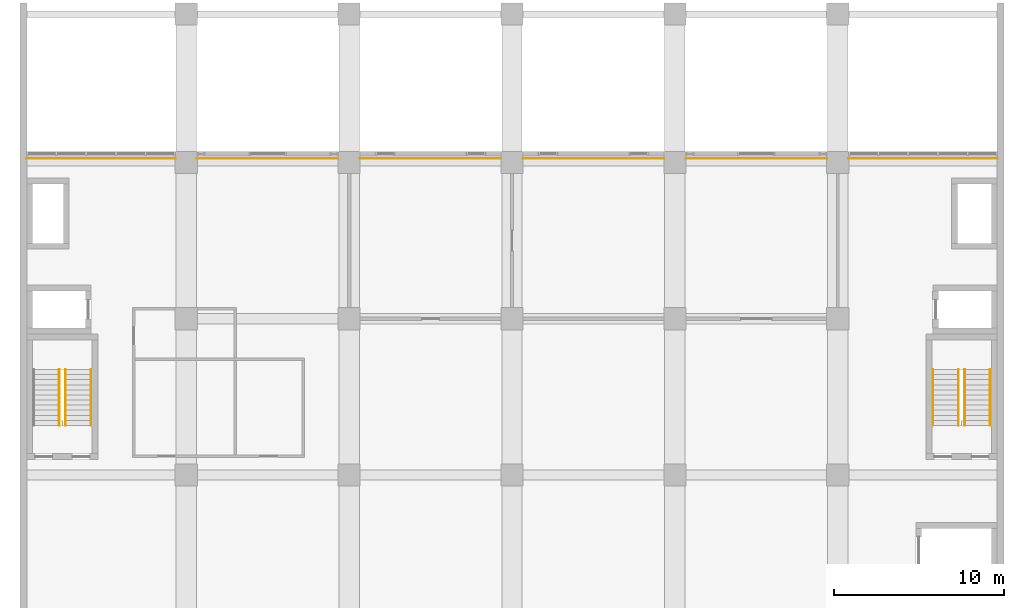
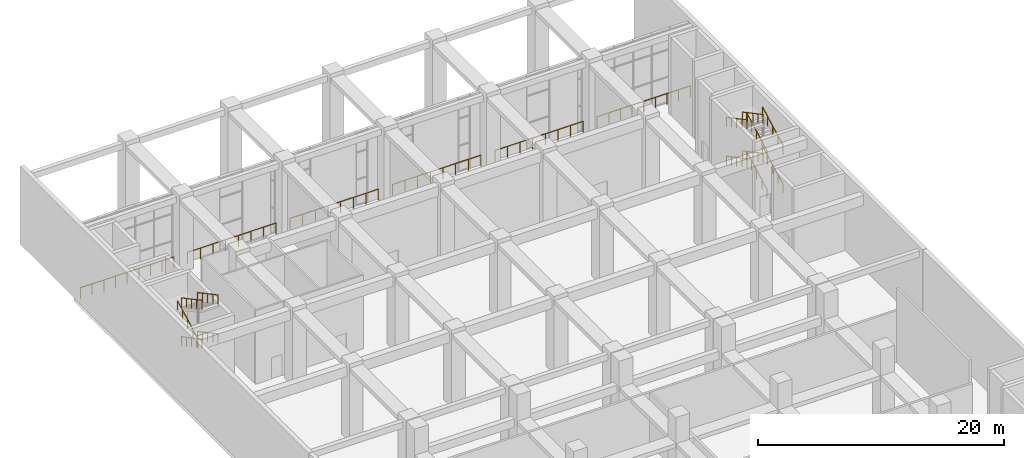
# One storey, part 20 of 33: 19 railings.
"""IFC4 building model written with IfcOpenShell, lengths in metres."""

import ifcopenshell
import ifcopenshell.guid

model = None  # the IFC model being written
_history = None  # IfcOwnerHistory: only IFC2X3 demands one
_inside = {}  # id of a spatial element -> (the spatial element, [elements in it])
_under = {}  # id of a project, library or spatial element -> (it, [spatial elements below it])
_declared = {}  # id of a project -> (the project, [libraries it declares])
_typed = {}  # id of a type object -> (the type object, [elements of that type])
_made_of = {}  # id of a material, layer set ... -> (it, [elements and type objects made of it])


def new_model(schema):
    """Start an empty IFC model of exactly this schema.

    Asked for "IFC4X3", IfcOpenShell would pick the latest addendum, in which some entities
    have other attributes; the version numbers below select the first issue.
    IFC2X3 requires an IfcOwnerHistory on every rooted entity: one is made here for all.
    """
    global model, _history
    if schema == "IFC4X3":
        model = ifcopenshell.file(schema_version=(4, 3, 0, 0))
    else:
        model = ifcopenshell.file(schema=schema)
    _inside.clear()
    _under.clear()
    _declared.clear()
    _typed.clear()
    _made_of.clear()
    _history = None
    if model.schema == "IFC2X3":
        org = make("IfcOrganization", Name="unknown")
        user = make(
            "IfcPersonAndOrganization",
            ThePerson=make("IfcPerson", FamilyName="unknown"),
            TheOrganization=org,
        )
        app = make(
            "IfcApplication",
            ApplicationDeveloper=org,
            Version="unknown",
            ApplicationFullName="unknown",
            ApplicationIdentifier="unknown",
        )
        _history = make(
            "IfcOwnerHistory",
            OwningUser=user,
            OwningApplication=app,
            ChangeAction="ADDED",
            CreationDate=0,
        )
    return model


def make(cls, **values):
    """One entity of the class cls with the attributes given. An attribute that is None is left unset."""
    return model.create_entity(
        cls, **{name: value for name, value in values.items() if value is not None}
    )


def rooted(cls, **values):
    """An entity with a GlobalId (a new one), such as an element, a storey or a relation."""
    return make(cls, GlobalId=ifcopenshell.guid.new(), OwnerHistory=_history, **values)


def si_unit(unit_type, name, prefix=None):
    """IfcSIUnit, for example si_unit("LENGTHUNIT", "METRE", prefix="MILLI")."""
    return make("IfcSIUnit", UnitType=unit_type, Prefix=prefix, Name=name)


def assignment(units):
    """IfcUnitAssignment: the units of a project."""
    return None if units is None else make("IfcUnitAssignment", Units=units)


def point(xyz):
    """IfcCartesianPoint."""
    return None if xyz is None else make("IfcCartesianPoint", Coordinates=xyz)


def direction(xyz):
    """IfcDirection."""
    return None if xyz is None else make("IfcDirection", DirectionRatios=xyz)


def frame(location, z_axis=None, x_axis=None):
    """IfcAxis2Placement3D, a coordinate frame: its origin and axes. An axis left out is left unset."""
    return make(
        "IfcAxis2Placement3D",
        Location=point(location),
        Axis=direction(z_axis),
        RefDirection=direction(x_axis),
    )


def frame_2d(location, x_axis=None):
    """IfcAxis2Placement2D, a coordinate frame in the plane: its origin and x axis."""
    return make(
        "IfcAxis2Placement2D", Location=point(location), RefDirection=direction(x_axis)
    )


def origin():
    """The frame at (0, 0, 0) with its axes left unset."""
    return frame((0.0, 0.0, 0.0))


def origin_2d():
    """The frame at (0, 0) in the plane with its x axis left unset."""
    return frame_2d((0.0, 0.0))


def place(relative_to, where):
    """IfcLocalPlacement: puts the frame where relative to a parent placement (None: the world)."""
    return make(
        "IfcLocalPlacement", PlacementRelTo=relative_to, RelativePlacement=where
    )


def context(
    kind, dimensions, precision=None, world=None, true_north=None, identifier=None
):
    """IfcGeometricRepresentationContext, for example the 3D "Model" context."""
    return make(
        "IfcGeometricRepresentationContext",
        ContextIdentifier=identifier,
        ContextType=kind,
        CoordinateSpaceDimension=dimensions,
        Precision=precision,
        WorldCoordinateSystem=world,
        TrueNorth=true_north,
    )


def subcontext(parent, identifier, kind, view, scale=None):
    """IfcGeometricRepresentationSubContext, for example "Body" below "Model"."""
    return make(
        "IfcGeometricRepresentationSubContext",
        ContextIdentifier=identifier,
        ContextType=kind,
        ParentContext=parent,
        TargetScale=scale,
        TargetView=view,
    )


def project(units=None, contexts=None):
    """IfcProject with its units and contexts."""
    return rooted(
        "IfcProject",
        Name="project",
        RepresentationContexts=contexts,
        UnitsInContext=assignment(units),
    )


def spatial(cls, under=None, at=None, **own):
    """A site, building, storey or space (cls), placed at a placement, below another one or the project."""
    s = rooted(cls, ObjectPlacement=at, **own)
    if under is not None:
        _under.setdefault(under.id(), (under, []))[1].append(s)
    return s


def profile(cls, at=None, kind="AREA", **sizes):
    """A parametric profile (cls). Its sizes go by their IFC names, for example OverallWidth=200.0."""
    return make(cls, ProfileType=kind, Position=at, **sizes)


def circle(**sizes):
    """IfcCircleProfileDef."""
    return profile("IfcCircleProfileDef", **sizes)


def extrude(swept, where, along, depth):
    """IfcExtrudedAreaSolid: the profile swept, set in the frame where, extruded along a direction by depth."""
    return make(
        "IfcExtrudedAreaSolid",
        SweptArea=swept,
        Position=where,
        ExtrudedDirection=direction(along),
        Depth=depth,
    )


def shape(context_of_items, identifier, shape_type, items):
    """IfcShapeRepresentation: the items that make up one representation, for example the "Body"."""
    return make(
        "IfcShapeRepresentation",
        ContextOfItems=context_of_items,
        RepresentationIdentifier=identifier,
        RepresentationType=shape_type,
        Items=items,
    )


def material(Name=None, Category=None):
    """IfcMaterial."""
    return make("IfcMaterial", Name=Name, Category=Category)


def made_of(thing, what):
    """Note that an element or type object is made of a material, layer set ...; save() writes the relation."""
    if what is not None:
        _made_of.setdefault(what.id(), (what, []))[1].append(thing)
    return thing


def type_object(cls, material=None, **own):
    """A type object (cls), such as IfcWallType, which elements share."""
    return made_of(rooted(cls, **own), material)


def element(
    cls,
    number,
    at=None,
    inside=None,
    cuts=None,
    type_object=None,
    material=None,
    context=None,
    identifier="Body",
    shape_type=None,
    held_by="IfcProductDefinitionShape",
    body=None,
    shapes=None,
    **own,
):
    """One element of the class cls, such as IfcWall. Its Tag is "e" and its number.

    at: its placement. inside: the storey or other place that contains it. cuts: it is an
    opening in that element (IfcRelVoidsElement). A single representation is given by context,
    identifier, shape_type and body (its items); several are given by shapes. held_by: the class
    of the entity that holds the representations. save() writes the other relations.
    """
    e = rooted(cls, Tag="e%d" % number, ObjectPlacement=at, **own)
    if body is not None:
        shapes = [shape(context, identifier, shape_type, body)]
    if shapes is not None:
        e.Representation = make(held_by, Representations=shapes)
    if inside is not None:
        _inside.setdefault(inside.id(), (inside, []))[1].append(e)
    if cuts is not None:
        rooted(
            "IfcRelVoidsElement", RelatingBuildingElement=cuts, RelatedOpeningElement=e
        )
    if type_object is not None:
        _typed.setdefault(type_object.id(), (type_object, []))[1].append(e)
    return made_of(e, material)


def aggregate(whole, parts):
    """IfcRelAggregates: a whole, such as a stair, and the parts it consists of."""
    return rooted("IfcRelAggregates", RelatingObject=whole, RelatedObjects=parts)


def save(model, path):
    """Write the relations noted so far, then the file.

    IfcRelAggregates (storeys below a building ...), IfcRelContainedInSpatialStructure (elements
    in a storey), IfcRelDefinesByType, IfcRelAssociatesMaterial and IfcRelDeclares: one each for
    every whole, place, type object, material and project.
    """
    for whole, parts in _under.values():
        aggregate(whole, parts)
    for where, things in _inside.values():
        rooted(
            "IfcRelContainedInSpatialStructure",
            RelatedElements=things,
            RelatingStructure=where,
        )
    for kind, things in _typed.values():
        rooted("IfcRelDefinesByType", RelatedObjects=things, RelatingType=kind)
    for what, things in _made_of.values():
        rooted("IfcRelAssociatesMaterial", RelatedObjects=things, RelatingMaterial=what)
    for by, libraries in _declared.values():
        rooted("IfcRelDeclares", RelatingContext=by, RelatedDefinitions=libraries)
    model.write(path)


model = new_model("IFC4")

# Units and contexts
model_context = context("Model", 3, precision=1e-05, world=origin(), true_north=direction((0.0, 1.0)))
body_context = subcontext(model_context, "Body", "Model", "MODEL_VIEW")
ifc_project = project(units=[si_unit("LENGTHUNIT", "METRE"), si_unit("AREAUNIT", "SQUARE_METRE"), si_unit("VOLUMEUNIT", "CUBIC_METRE"), si_unit("PLANEANGLEUNIT", "RADIAN"), si_unit("MASSUNIT", "GRAM", prefix="KILO")], contexts=[model_context])

# Site, building, storey
site_placement = place(None, origin())
site = spatial("IfcSite", under=ifc_project, at=site_placement, CompositionType="ELEMENT")
building_placement = place(site_placement, origin())
building = spatial("IfcBuilding", under=site, at=building_placement, Name="Nzadi Deep Aquarium and Research Tower", CompositionType="ELEMENT")
storey_placement = place(building_placement, frame((0.0, 0.0, 6.5)))
storey = spatial("IfcBuildingStorey", under=building, at=storey_placement, Name="L01", CompositionType="ELEMENT", Elevation=6.5)

# Railings
ifc_material_1 = material(Name="Stainless steel 1.4301", Category="steel")
railing_type_1 = type_object("IfcRailingType", Name="Guard 1100 stainless steel", PredefinedType="GUARDRAIL", material=ifc_material_1)
railing_1_placement = place(storey_placement, frame((0.199951171875, 131.85009765625, 0.0)))
element("IfcRailing", 1, at=railing_1_placement, inside=storey, type_object=railing_type_1, Name="Guard", PredefinedType="GUARDRAIL", context=body_context, shape_type="SweptSolid", body=[
    extrude(circle(Radius=0.02392578125, at=origin_2d()), frame((0.0, 0.0, 1.076171875), z_axis=(1.0, 0.0, 0.0), x_axis=(0.0, 1.0, 0.0)), (0.0, 0.0, 1.0), 8.75),
    extrude(circle(Radius=0.02099609375, at=origin_2d()), origin(), (0.0, 0.0, 1.0), 1.052001953125),
    extrude(circle(Radius=0.02099609375, at=origin_2d()), frame((1.09375, 0.0, 0.0)), (0.0, 0.0, 1.0), 1.052001953125),
    extrude(circle(Radius=0.02099609375, at=origin_2d()), frame((2.1875, 0.0, 0.0)), (0.0, 0.0, 1.0), 1.052001953125),
    extrude(circle(Radius=0.02099609375, at=origin_2d()), frame((3.28125, 0.0, 0.0)), (0.0, 0.0, 1.0), 1.052001953125),
    extrude(circle(Radius=0.02099609375, at=origin_2d()), frame((4.375, 0.0, 0.0)), (0.0, 0.0, 1.0), 1.052001953125),
    extrude(circle(Radius=0.02099609375, at=origin_2d()), frame((5.46875, 0.0, 0.0)), (0.0, 0.0, 1.0), 1.052001953125),
    extrude(circle(Radius=0.02099609375, at=origin_2d()), frame((6.5625, 0.0, 0.0)), (0.0, 0.0, 1.0), 1.052001953125),
    extrude(circle(Radius=0.02099609375, at=origin_2d()), frame((7.65625, 0.0, 0.0)), (0.0, 0.0, 1.0), 1.052001953125),
    extrude(circle(Radius=0.02099609375, at=origin_2d()), frame((8.75, 0.0, 0.0)), (0.0, 0.0, 1.0), 1.052001953125),
])
railing_2_placement = place(storey_placement, frame((10.25, 131.85009765625, 0.0)))
element("IfcRailing", 2, at=railing_2_placement, inside=storey, type_object=railing_type_1, Name="Guard", PredefinedType="GUARDRAIL", context=body_context, shape_type="SweptSolid", body=[
    extrude(circle(Radius=0.02392578125, at=origin_2d()), frame((0.0, 0.0, 1.076171875), z_axis=(1.0, 0.0, 0.0), x_axis=(0.0, 1.0, 0.0)), (0.0, 0.0, 1.0), 8.300048828125),
    extrude(circle(Radius=0.02099609375, at=origin_2d()), origin(), (0.0, 0.0, 1.0), 1.052001953125),
    extrude(circle(Radius=0.02099609375, at=origin_2d()), frame((1.185791015625, 0.0, 0.0)), (0.0, 0.0, 1.0), 1.052001953125),
    extrude(circle(Radius=0.02099609375, at=origin_2d()), frame((2.371337890625, 0.0, 0.0)), (0.0, 0.0, 1.0), 1.052001953125),
    extrude(circle(Radius=0.02099609375, at=origin_2d()), frame((3.55712890625, 0.0, 0.0)), (0.0, 0.0, 1.0), 1.052001953125),
    extrude(circle(Radius=0.02099609375, at=origin_2d()), frame((4.742919921875, 0.0, 0.0)), (0.0, 0.0, 1.0), 1.052001953125),
    extrude(circle(Radius=0.02099609375, at=origin_2d()), frame((5.9287109375, 0.0, 0.0)), (0.0, 0.0, 1.0), 1.052001953125),
    extrude(circle(Radius=0.02099609375, at=origin_2d()), frame((7.1142578125, 0.0, 0.0)), (0.0, 0.0, 1.0), 1.052001953125),
    extrude(circle(Radius=0.02099609375, at=origin_2d()), frame((8.300048828125, 0.0, 0.0)), (0.0, 0.0, 1.0), 1.052001953125),
])
railing_3_placement = place(storey_placement, frame((19.85009765625, 131.85009765625, 0.0)))
element("IfcRailing", 3, at=railing_3_placement, inside=storey, type_object=railing_type_1, Name="Guard", PredefinedType="GUARDRAIL", context=body_context, shape_type="SweptSolid", body=[
    extrude(circle(Radius=0.02392578125, at=origin_2d()), frame((0.0, 0.0, 1.076171875), z_axis=(1.0, 0.0, 0.0), x_axis=(0.0, 1.0, 0.0)), (0.0, 0.0, 1.0), 8.2998046875),
    extrude(circle(Radius=0.02099609375, at=origin_2d()), origin(), (0.0, 0.0, 1.0), 1.052001953125),
    extrude(circle(Radius=0.02099609375, at=origin_2d()), frame((1.185791015625, 0.0, 0.0)), (0.0, 0.0, 1.0), 1.052001953125),
    extrude(circle(Radius=0.02099609375, at=origin_2d()), frame((2.371337890625, 0.0, 0.0)), (0.0, 0.0, 1.0), 1.052001953125),
    extrude(circle(Radius=0.02099609375, at=origin_2d()), frame((3.55712890625, 0.0, 0.0)), (0.0, 0.0, 1.0), 1.052001953125),
    extrude(circle(Radius=0.02099609375, at=origin_2d()), frame((4.74267578125, 0.0, 0.0)), (0.0, 0.0, 1.0), 1.052001953125),
    extrude(circle(Radius=0.02099609375, at=origin_2d()), frame((5.928466796875, 0.0, 0.0)), (0.0, 0.0, 1.0), 1.052001953125),
    extrude(circle(Radius=0.02099609375, at=origin_2d()), frame((7.114013671875, 0.0, 0.0)), (0.0, 0.0, 1.0), 1.052001953125),
    extrude(circle(Radius=0.02099609375, at=origin_2d()), frame((8.2998046875, 0.0, 0.0)), (0.0, 0.0, 1.0), 1.052001953125),
])
for number, where, name in (
    (4, (29.449951171875, 131.85009765625, 0.0), "Guard"),
    (5, (39.050048828125, 131.85009765625, 0.0), "Guard"),
):
    element("IfcRailing", number, at=place(storey_placement, frame(where)), inside=storey, type_object=railing_type_1, Name=name, PredefinedType="GUARDRAIL", context=body_context, shape_type="SweptSolid", body=[
        extrude(circle(Radius=0.02392578125, at=origin_2d()), frame((0.0, 0.0, 1.076171875), z_axis=(1.0, 0.0, 0.0), x_axis=(0.0, 1.0, 0.0)), (0.0, 0.0, 1.0), 8.300048828125),
        extrude(circle(Radius=0.02099609375, at=origin_2d()), origin(), (0.0, 0.0, 1.0), 1.052001953125),
        extrude(circle(Radius=0.02099609375, at=origin_2d()), frame((1.185791015625, 0.0, 0.0)), (0.0, 0.0, 1.0), 1.052001953125),
        extrude(circle(Radius=0.02099609375, at=origin_2d()), frame((2.371337890625, 0.0, 0.0)), (0.0, 0.0, 1.0), 1.052001953125),
        extrude(circle(Radius=0.02099609375, at=origin_2d()), frame((3.55712890625, 0.0, 0.0)), (0.0, 0.0, 1.0), 1.052001953125),
        extrude(circle(Radius=0.02099609375, at=origin_2d()), frame((4.742919921875, 0.0, 0.0)), (0.0, 0.0, 1.0), 1.052001953125),
        extrude(circle(Radius=0.02099609375, at=origin_2d()), frame((5.9287109375, 0.0, 0.0)), (0.0, 0.0, 1.0), 1.052001953125),
        extrude(circle(Radius=0.02099609375, at=origin_2d()), frame((7.1142578125, 0.0, 0.0)), (0.0, 0.0, 1.0), 1.052001953125),
        extrude(circle(Radius=0.02099609375, at=origin_2d()), frame((8.300048828125, 0.0, 0.0)), (0.0, 0.0, 1.0), 1.052001953125),
    ])
railing_4_placement = place(storey_placement, frame((48.64990234375, 131.85009765625, 0.0)))
element("IfcRailing", 6, at=railing_4_placement, inside=storey, type_object=railing_type_1, Name="Guard", PredefinedType="GUARDRAIL", context=body_context, shape_type="SweptSolid", body=[
    extrude(circle(Radius=0.02392578125, at=origin_2d()), frame((0.0, 0.0, 1.076171875), z_axis=(1.0, 0.0, 0.0), x_axis=(0.0, 1.0, 0.0)), (0.0, 0.0, 1.0), 8.75),
    extrude(circle(Radius=0.02099609375, at=origin_2d()), origin(), (0.0, 0.0, 1.0), 1.052001953125),
    extrude(circle(Radius=0.02099609375, at=origin_2d()), frame((1.09375, 0.0, 0.0)), (0.0, 0.0, 1.0), 1.052001953125),
    extrude(circle(Radius=0.02099609375, at=origin_2d()), frame((2.1875, 0.0, 0.0)), (0.0, 0.0, 1.0), 1.052001953125),
    extrude(circle(Radius=0.02099609375, at=origin_2d()), frame((3.28125, 0.0, 0.0)), (0.0, 0.0, 1.0), 1.052001953125),
    extrude(circle(Radius=0.02099609375, at=origin_2d()), frame((4.375, 0.0, 0.0)), (0.0, 0.0, 1.0), 1.052001953125),
    extrude(circle(Radius=0.02099609375, at=origin_2d()), frame((5.46875, 0.0, 0.0)), (0.0, 0.0, 1.0), 1.052001953125),
    extrude(circle(Radius=0.02099609375, at=origin_2d()), frame((6.5625, 0.0, 0.0)), (0.0, 0.0, 1.0), 1.052001953125),
    extrude(circle(Radius=0.02099609375, at=origin_2d()), frame((7.65625, 0.0, 0.0)), (0.0, 0.0, 1.0), 1.052001953125),
    extrude(circle(Radius=0.02099609375, at=origin_2d()), frame((8.75, 0.0, 0.0)), (0.0, 0.0, 1.0), 1.052001953125),
])
ifc_material_2 = material(Name="Stainless steel 1.4301", Category="steel")
railing_type_2 = type_object("IfcRailingType", Name="HANDRAIL 900", PredefinedType="HANDRAIL", material=ifc_material_2)
for number, where, name in (
    (7, (3.989990234375, 119.409912109375, 2.08544921875), "HR-ST-Z3-W-L01-F2"),
    (8, (2.485107421875, 119.409912109375, 2.08544921875), "HR-ST-Z3-W-L01-F2W"),
):
    element("IfcRailing", number, at=place(storey_placement, frame(where)), inside=storey, type_object=railing_type_2, Name=name, PredefinedType="HANDRAIL", context=body_context, shape_type="SweptSolid", body=[
        extrude(circle(Radius=0.02392578125, at=origin_2d()), frame((0.0, 0.0, 0.8759765625), z_axis=(0.0, -0.881825024642, 0.471576744459), x_axis=(1.0, 0.0, 0.0)), (0.0, 0.0, 1.0), 3.741943359375),
        extrude(circle(Radius=0.02099609375, at=origin_2d()), origin(), (0.0, 0.0, 1.0), 0.851806640625),
        extrude(circle(Radius=0.02099609375, at=origin_2d()), frame((0.0, -0.824951171875, 0.441162109375)), (0.0, 0.0, 1.0), 0.851806640625),
        extrude(circle(Radius=0.02099609375, at=origin_2d()), frame((0.0, -1.64990234375, 0.88232421875)), (0.0, 0.0, 1.0), 0.851806640625),
        extrude(circle(Radius=0.02099609375, at=origin_2d()), frame((0.0, -2.474853515625, 1.323486328125)), (0.0, 0.0, 1.0), 0.851806640625),
        extrude(circle(Radius=0.02099609375, at=origin_2d()), frame((0.0, -3.2998046875, 1.7646484375)), (0.0, 0.0, 1.0), 0.851806640625),
    ])
railing_5_placement = place(storey_placement, frame((2.114990234375, 116.110107421875, 4.010498046875)))
element("IfcRailing", 9, at=railing_5_placement, inside=storey, type_object=railing_type_2, Name="HR-ST-Z3-W-L01-F3W", PredefinedType="HANDRAIL", context=body_context, shape_type="SweptSolid", body=[
    extrude(circle(Radius=0.02392578125, at=origin_2d()), frame((0.0, 0.0, 0.8759765625), z_axis=(0.0, 0.881852155219, 0.471526008122), x_axis=(-1.0, 0.0, 0.0)), (0.0, 0.0, 1.0), 3.741943359375),
    extrude(circle(Radius=0.02099609375, at=origin_2d()), origin(), (0.0, 0.0, 1.0), 0.851806640625),
    extrude(circle(Radius=0.02099609375, at=origin_2d()), frame((0.0, 0.824951171875, 0.441162109375)), (0.0, 0.0, 1.0), 0.851806640625),
    extrude(circle(Radius=0.02099609375, at=origin_2d()), frame((0.0, 1.64990234375, 0.88232421875)), (0.0, 0.0, 1.0), 0.851806640625),
    extrude(circle(Radius=0.02099609375, at=origin_2d()), frame((0.0, 2.474853515625, 1.3232421875)), (0.0, 0.0, 1.0), 0.851806640625),
    extrude(circle(Radius=0.02099609375, at=origin_2d()), frame((0.0, 3.2998046875, 1.764404296875)), (0.0, 0.0, 1.0), 0.851806640625),
])
for number, where, name in (
    (10, (3.989990234375, 119.409912109375, 5.935302734375), "HR-ST-Z3-W-L01-F4"),
    (11, (2.485107421875, 119.409912109375, 5.935302734375), "HR-ST-Z3-W-L01-F4W"),
):
    element("IfcRailing", number, at=place(storey_placement, frame(where)), inside=storey, type_object=railing_type_2, Name=name, PredefinedType="HANDRAIL", context=body_context, shape_type="SweptSolid", body=[
        extrude(circle(Radius=0.02392578125, at=origin_2d()), frame((0.0, 0.0, 0.8759765625), z_axis=(0.0, -0.881825024642, 0.471576744459), x_axis=(1.0, 0.0, 0.0)), (0.0, 0.0, 1.0), 3.741943359375),
        extrude(circle(Radius=0.02099609375, at=origin_2d()), origin(), (0.0, 0.0, 1.0), 0.851806640625),
        extrude(circle(Radius=0.02099609375, at=origin_2d()), frame((0.0, -0.824951171875, 0.441162109375)), (0.0, 0.0, 1.0), 0.851806640625),
        extrude(circle(Radius=0.02099609375, at=origin_2d()), frame((0.0, -1.64990234375, 0.88232421875)), (0.0, 0.0, 1.0), 0.851806640625),
        extrude(circle(Radius=0.02099609375, at=origin_2d()), frame((0.0, -2.474853515625, 1.323486328125)), (0.0, 0.0, 1.0), 0.851806640625),
        extrude(circle(Radius=0.02099609375, at=origin_2d()), frame((0.0, -3.2998046875, 1.7646484375)), (0.0, 0.0, 1.0), 0.851806640625),
    ])
for number, where, name in (
    (12, (56.989990234375, 116.110107421875, 0.160400390625), "HR-ST-Z3-E-L01-F1"),
    (13, (55.485107421875, 116.110107421875, 0.160400390625), "HR-ST-Z3-E-L01-F1W"),
):
    element("IfcRailing", number, at=place(storey_placement, frame(where)), inside=storey, type_object=railing_type_2, Name=name, PredefinedType="HANDRAIL", context=body_context, shape_type="SweptSolid", body=[
        extrude(circle(Radius=0.02392578125, at=origin_2d()), frame((0.0, 0.0, 0.8759765625), z_axis=(0.0, 0.881825024642, 0.471576744459), x_axis=(-1.0, 0.0, 0.0)), (0.0, 0.0, 1.0), 3.741943359375),
        extrude(circle(Radius=0.02099609375, at=origin_2d()), origin(), (0.0, 0.0, 1.0), 0.851806640625),
        extrude(circle(Radius=0.02099609375, at=origin_2d()), frame((0.0, 0.824951171875, 0.441162109375)), (0.0, 0.0, 1.0), 0.851806640625),
        extrude(circle(Radius=0.02099609375, at=origin_2d()), frame((0.0, 1.64990234375, 0.88232421875)), (0.0, 0.0, 1.0), 0.851806640625),
        extrude(circle(Radius=0.02099609375, at=origin_2d()), frame((0.0, 2.474853515625, 1.323486328125)), (0.0, 0.0, 1.0), 0.851806640625),
        extrude(circle(Radius=0.02099609375, at=origin_2d()), frame((0.0, 3.2998046875, 1.7646484375)), (0.0, 0.0, 1.0), 0.851806640625),
    ])
for number, where, name in (
    (14, (53.610107421875, 119.409912109375, 2.08544921875), "HR-ST-Z3-E-L01-F2"),
    (15, (55.114990234375, 119.409912109375, 2.08544921875), "HR-ST-Z3-E-L01-F2W"),
):
    element("IfcRailing", number, at=place(storey_placement, frame(where)), inside=storey, type_object=railing_type_2, Name=name, PredefinedType="HANDRAIL", context=body_context, shape_type="SweptSolid", body=[
        extrude(circle(Radius=0.02392578125, at=origin_2d()), frame((0.0, 0.0, 0.8759765625), z_axis=(0.0, -0.881825024642, 0.471576744459), x_axis=(1.0, 0.0, 0.0)), (0.0, 0.0, 1.0), 3.741943359375),
        extrude(circle(Radius=0.02099609375, at=origin_2d()), origin(), (0.0, 0.0, 1.0), 0.851806640625),
        extrude(circle(Radius=0.02099609375, at=origin_2d()), frame((0.0, -0.824951171875, 0.441162109375)), (0.0, 0.0, 1.0), 0.851806640625),
        extrude(circle(Radius=0.02099609375, at=origin_2d()), frame((0.0, -1.64990234375, 0.88232421875)), (0.0, 0.0, 1.0), 0.851806640625),
        extrude(circle(Radius=0.02099609375, at=origin_2d()), frame((0.0, -2.474853515625, 1.323486328125)), (0.0, 0.0, 1.0), 0.851806640625),
        extrude(circle(Radius=0.02099609375, at=origin_2d()), frame((0.0, -3.2998046875, 1.7646484375)), (0.0, 0.0, 1.0), 0.851806640625),
    ])
for number, where, name in (
    (16, (56.989990234375, 116.110107421875, 4.010498046875), "HR-ST-Z3-E-L01-F3"),
    (17, (55.485107421875, 116.110107421875, 4.010498046875), "HR-ST-Z3-E-L01-F3W"),
):
    element("IfcRailing", number, at=place(storey_placement, frame(where)), inside=storey, type_object=railing_type_2, Name=name, PredefinedType="HANDRAIL", context=body_context, shape_type="SweptSolid", body=[
        extrude(circle(Radius=0.02392578125, at=origin_2d()), frame((0.0, 0.0, 0.8759765625), z_axis=(0.0, 0.881852155219, 0.471526008122), x_axis=(-1.0, 0.0, 0.0)), (0.0, 0.0, 1.0), 3.741943359375),
        extrude(circle(Radius=0.02099609375, at=origin_2d()), origin(), (0.0, 0.0, 1.0), 0.851806640625),
        extrude(circle(Radius=0.02099609375, at=origin_2d()), frame((0.0, 0.824951171875, 0.441162109375)), (0.0, 0.0, 1.0), 0.851806640625),
        extrude(circle(Radius=0.02099609375, at=origin_2d()), frame((0.0, 1.64990234375, 0.88232421875)), (0.0, 0.0, 1.0), 0.851806640625),
        extrude(circle(Radius=0.02099609375, at=origin_2d()), frame((0.0, 2.474853515625, 1.3232421875)), (0.0, 0.0, 1.0), 0.851806640625),
        extrude(circle(Radius=0.02099609375, at=origin_2d()), frame((0.0, 3.2998046875, 1.764404296875)), (0.0, 0.0, 1.0), 0.851806640625),
    ])
for number, where, name in (
    (18, (53.610107421875, 119.409912109375, 5.935302734375), "HR-ST-Z3-E-L01-F4"),
    (19, (55.114990234375, 119.409912109375, 5.935302734375), "HR-ST-Z3-E-L01-F4W"),
):
    element("IfcRailing", number, at=place(storey_placement, frame(where)), inside=storey, type_object=railing_type_2, Name=name, PredefinedType="HANDRAIL", context=body_context, shape_type="SweptSolid", body=[
        extrude(circle(Radius=0.02392578125, at=origin_2d()), frame((0.0, 0.0, 0.8759765625), z_axis=(0.0, -0.881825024642, 0.471576744459), x_axis=(1.0, 0.0, 0.0)), (0.0, 0.0, 1.0), 3.741943359375),
        extrude(circle(Radius=0.02099609375, at=origin_2d()), origin(), (0.0, 0.0, 1.0), 0.851806640625),
        extrude(circle(Radius=0.02099609375, at=origin_2d()), frame((0.0, -0.824951171875, 0.441162109375)), (0.0, 0.0, 1.0), 0.851806640625),
        extrude(circle(Radius=0.02099609375, at=origin_2d()), frame((0.0, -1.64990234375, 0.88232421875)), (0.0, 0.0, 1.0), 0.851806640625),
        extrude(circle(Radius=0.02099609375, at=origin_2d()), frame((0.0, -2.474853515625, 1.323486328125)), (0.0, 0.0, 1.0), 0.851806640625),
        extrude(circle(Radius=0.02099609375, at=origin_2d()), frame((0.0, -3.2998046875, 1.7646484375)), (0.0, 0.0, 1.0), 0.851806640625),
    ])

save(model, "model.ifc")
